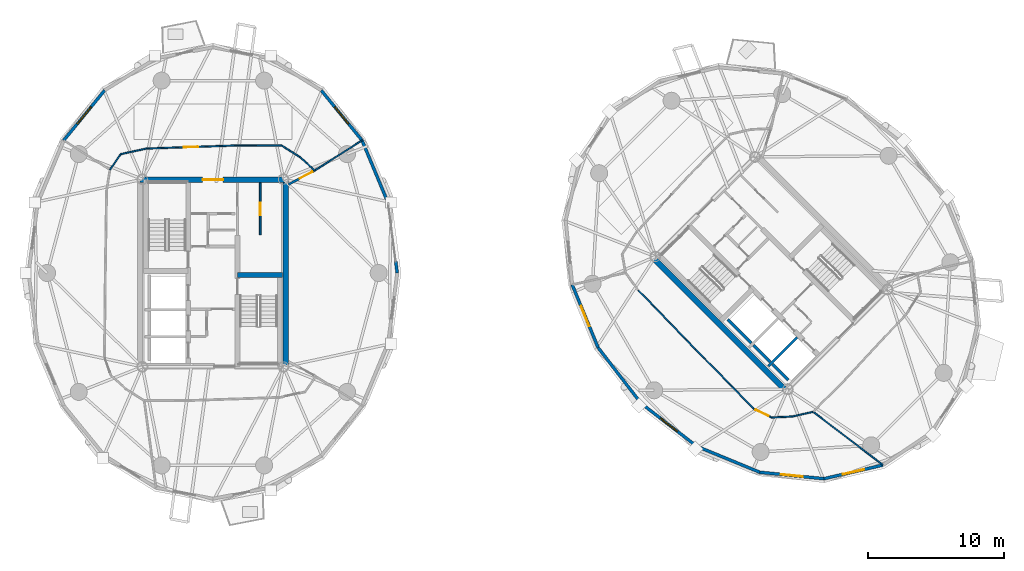
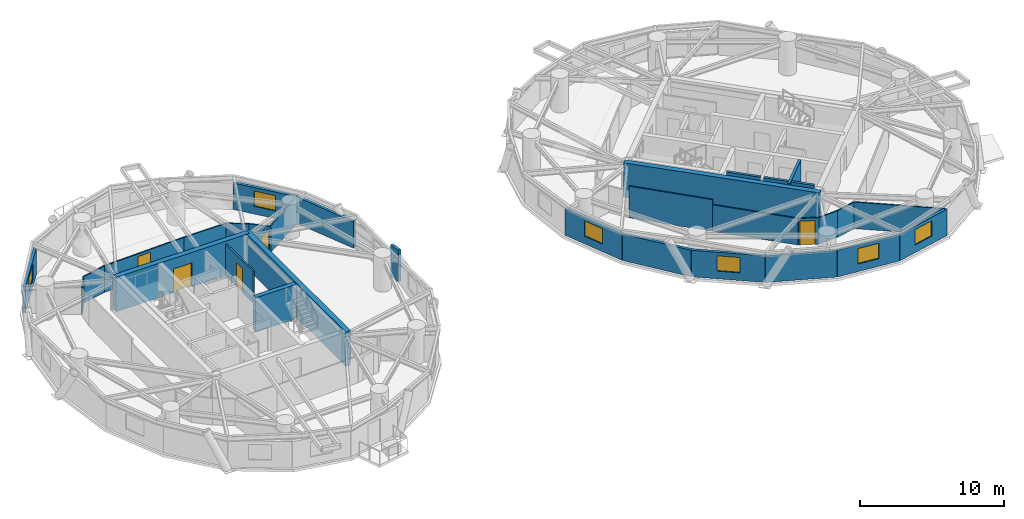
# One storey, part 11 of 17: 33 walls, 6 windows, 5 doors, 11 openings.
"""IFC4 building model written with IfcOpenShell, lengths in metres."""

from ifc_helpers import new_model, si_unit, direction, frame, frame_2d, origin, place, context, subcontext, project, spatial, rectangle, extrude, source, transform, mapped, material, layer, layer_set, type_object, element, fill, save


model = new_model("IFC4")

# Units and contexts
model_context = context("Model", 3, precision=1e-05, world=origin(), true_north=direction((0.0, 1.0)))
body_context = subcontext(model_context, "Body", "Model", "MODEL_VIEW")
ifc_project = project(units=[si_unit("LENGTHUNIT", "METRE"), si_unit("AREAUNIT", "SQUARE_METRE"), si_unit("VOLUMEUNIT", "CUBIC_METRE"), si_unit("PLANEANGLEUNIT", "RADIAN"), si_unit("MASSUNIT", "GRAM", prefix="KILO")], contexts=[model_context])

# Site, building, storey
site_placement = place(None, origin())
site = spatial("IfcSite", under=ifc_project, at=site_placement, CompositionType="ELEMENT")
building_placement = place(site_placement, origin())
building = spatial("IfcBuilding", under=site, at=building_placement, Name="Cununo Teusaquillo Station Towers", CompositionType="ELEMENT")
storey_placement = place(building_placement, frame((0.0, 0.0, 186.52001953125)))
storey = spatial("IfcBuildingStorey", under=building, at=storey_placement, Name="L59", CompositionType="ELEMENT", Elevation=186.52001953125)

# Walls
ifc_material_1 = material(Name="Concrete C50/60", Category="concrete")
ifc_layer_1 = layer(ifc_material_1, 0.199951171875)
ifc_layer_set_1 = layer_set([ifc_layer_1], Name="Concrete C50/60")
wall_type_1 = type_object("IfcWallType", Name="WL-CORE-200", PredefinedType="SHEAR", material=ifc_layer_set_1)
wall_1_placement = place(storey_placement, frame((56.01513671875, 19.366455078125, 0.0), z_axis=(0.0, 0.0, 1.0), x_axis=(-0.707106781187, 0.707106781187, 0.0)))
element("IfcWall", 1, at=wall_1_placement, inside=storey, type_object=wall_type_1, Name="L59 Tower B Firefighting Lift Shaft Rear Shear Wall", PredefinedType="SHEAR", context=body_context, shape_type="SweptSolid", body=[
    extrude(rectangle(XDim=2.43994140625, YDim=0.199951171875, at=frame_2d((1.219970703125, 0.0))), origin(), (0.0, 0.0, 1.0), 2.909912109375),
])
wall_2_placement = place(storey_placement, frame((57.2841796875, 17.6728515625, 0.0), z_axis=(0.0, 0.0, 1.0), x_axis=(0.707147878904, 0.70706568108, 0.0)))
element("IfcWall", 2, at=wall_2_placement, inside=storey, type_object=wall_type_1, Name="L59 Tower B High-Rise Lift Hoistway Divider Shear Wall", PredefinedType="SHEAR", context=body_context, shape_type="SweptSolid", body=[
    extrude(rectangle(XDim=2.97021484375, YDim=0.199951171875, at=frame_2d((1.485107421875, 0.0))), origin(), (0.0, 0.0, 1.0), 2.909912109375),
])
wall_3_placement = place(storey_placement, frame((57.41162109375, 17.969970703125, 0.0), z_axis=(0.0, 0.0, 1.0), x_axis=(-0.707106781187, 0.707106781187, 0.0)))
element("IfcWall", 3, at=wall_3_placement, inside=storey, type_object=wall_type_1, Name="L59 Tower B High-Rise Lift 2 Shaft Rear Shear Wall", PredefinedType="SHEAR", context=body_context, shape_type="SweptSolid", body=[
    extrude(rectangle(XDim=1.73486328125, YDim=0.199951171875, at=frame_2d((0.867431640625, 0.0))), origin(), (0.0, 0.0, 1.0), 2.909912109375),
])
wall_4_placement = place(storey_placement, frame((58.7373046875, 16.64404296875, 0.0), z_axis=(0.0, 0.0, 1.0), x_axis=(-0.707032117043, 0.707181437447, 0.0)))
element("IfcWall", 4, at=wall_4_placement, inside=storey, type_object=wall_type_1, Name="L59 Tower B High-Rise Lift 1 Shaft Rear Shear Wall", PredefinedType="SHEAR", context=body_context, shape_type="SweptSolid", body=[
    extrude(rectangle(XDim=1.635009765625, YDim=0.199951171875, at=frame_2d((0.8173828125, 0.0))), origin(), (0.0, 0.0, 1.0), 2.909912109375),
])
ifc_material_2 = material(Name="Concrete C50/60", Category="concrete")
ifc_layer_2 = layer(ifc_material_2, 0.35009765625)
ifc_layer_set_2 = layer_set([ifc_layer_2], Name="Concrete C50/60")
wall_type_2 = type_object("IfcWallType", Name="WL-CORE-350", PredefinedType="SHEAR", material=ifc_layer_set_2)
wall_5_placement = place(storey_placement, frame((18.31494140625, 24.344970703125, 0.0), z_axis=(0.0, 0.0, 1.0), x_axis=(1.0, 0.0, 0.0)))
element("IfcWall", 5, at=wall_5_placement, inside=storey, type_object=wall_type_2, Name="L59 Tower A Core Shear Wall ST2N", PredefinedType="SHEAR", context=body_context, shape_type="SweptSolid", body=[
    extrude(rectangle(XDim=3.28515625, YDim=0.35009765625, at=frame_2d((1.642578125, 0.0))), origin(), (0.0, 0.0, 1.0), 2.909912109375),
])
ifc_material_3 = material(Name="Concrete C50/60", Category="concrete")
ifc_layer_3 = layer(ifc_material_3, 0.39990234375)
ifc_layer_set_3 = layer_set([ifc_layer_3], Name="Concrete C50/60")
wall_type_3 = type_object("IfcWallType", Name="WL-CORE-400", PredefinedType="SHEAR", material=ifc_layer_set_3)
wall_6_placement = place(storey_placement, frame((21.85009765625, 17.449951171875, 0.0), z_axis=(0.0, 0.0, 1.0), x_axis=(0.0, 1.0, 0.0)))
element("IfcWall", 6, at=wall_6_placement, inside=storey, type_object=wall_type_3, Name="L59 Tower A Core Shear Wall E", PredefinedType="SHEAR", context=body_context, shape_type="SweptSolid", body=[
    extrude(rectangle(XDim=14.10009765625, YDim=0.39990234375, at=frame_2d((7.050048828125, 0.0))), origin(), (0.0, 0.0, 1.0), 2.909912109375),
])

# Wall, opening, door
wall_7_placement = place(storey_placement, frame((11.14990234375, 31.35009765625, 0.0), z_axis=(0.0, 0.0, 1.0), x_axis=(1.0, 0.0, 0.0)))
wall_7 = element("IfcWall", 7, at=wall_7_placement, inside=storey, type_object=wall_type_3, Name="L59 Tower A Core Shear Wall N", PredefinedType="SHEAR", context=body_context, shape_type="SweptSolid", body=[
    extrude(rectangle(XDim=10.7001953125, YDim=0.39990234375, at=frame_2d((5.35009765625, 0.0))), origin(), (0.0, 0.0, 1.0), 2.909912109375),
])
shared_shape_1 = source(origin(), body_context, "Body", "SweptSolid", [
    extrude(rectangle(XDim=1.5, YDim=2.02001953125, at=frame_2d((0.75, 1.010009765625))), frame((0.0, 0.2099609375, 0.0), z_axis=(0.0, -1.0, 0.0), x_axis=(1.0, 0.0, 0.0)), (0.0, 0.0, 1.0), 0.419921875),
])
opening_1_placement = place(wall_7_placement, frame((4.60009765625, 0.0, 0.0)))
opening_1 = element("IfcOpeningElement", 8, at=opening_1_placement, cuts=wall_7, Name="Opening D-LB1", PredefinedType="OPENING", context=body_context, shape_type="MappedRepresentation", body=[
    mapped(shared_shape_1, transform((0.0, 0.0, 0.0), x_axis=(1.0, 0.0, 0.0), y_axis=(0.0, 1.0, 0.0), z_axis=(0.0, 0.0, 1.0), scale=1.0)),
])
ifc_material_4 = material(Name="Galvanised fire-rated hollow steel door assembly", Category="steel")
door_type_1 = type_object("IfcDoorType", Name="DR-LOBBY-1500", OperationType="DOUBLE_DOOR_SINGLE_SWING", PredefinedType="DOOR", material=ifc_material_4)
shared_shape_2 = source(origin(), body_context, "Body", "SweptSolid", [
    extrude(rectangle(XDim=1.5, YDim=2.02001953125, at=frame_2d((0.75, 1.010009765625))), frame((0.0, 0.02490234375, 0.0), z_axis=(0.0, -1.0, 0.0), x_axis=(1.0, 0.0, 0.0)), (0.0, 0.0, 1.0), 0.050048828125),
])
door_1_placement = place(opening_1_placement, origin())
door_1 = element("IfcDoor", 9, at=door_1_placement, inside=storey, type_object=door_type_1, Name="L59 Tower A North Core Lift Lobby Door", OperationType="DOUBLE_DOOR_SINGLE_SWING", OverallHeight=2.02001953125, OverallWidth=1.5, PredefinedType="DOOR", context=body_context, shape_type="MappedRepresentation", body=[
    mapped(shared_shape_2, transform((0.0, 0.0, 0.0), x_axis=(1.0, 0.0, 0.0), y_axis=(0.0, 1.0, 0.0), z_axis=(0.0, 0.0, 1.0), scale=1.0)),
])
fill(opening_1, door_1)

# Walls
wall_8_placement = place(storey_placement, frame((58.7021484375, 15.73193359375, 0.0), z_axis=(0.0, 0.0, 1.0), x_axis=(-0.707106781187, 0.707106781187, 0.0)))
element("IfcWall", 10, at=wall_8_placement, inside=storey, type_object=wall_type_3, Name="L59 Tower B Core Shear Wall W", PredefinedType="SHEAR", context=body_context, shape_type="SweptSolid", body=[
    extrude(rectangle(XDim=14.10009765625, YDim=0.39990234375, at=frame_2d((7.050048828125, 0.0))), origin(), (0.0, 0.0, 1.0), 2.909912109375),
])
ifc_material_5 = material(Name="Precast concrete C40/50", Category="concrete")
ifc_layer_4 = layer(ifc_material_5, 0.219970703125)
ifc_layer_set_4 = layer_set([ifc_layer_4], Name="Precast concrete C40/50")
wall_type_4 = type_object("IfcWallType", Name="WL-EXT-220", PredefinedType="SOLIDWALL", material=ifc_layer_set_4)
wall_9_placement = place(storey_placement, frame((29.91943359375, 25.36279296875, 0.0), z_axis=(0.0, 0.0, 1.0), x_axis=(0.128247365719, -0.991742211054, 0.0)))
element("IfcWall", 11, at=wall_9_placement, inside=storey, type_object=wall_type_4, Name="L59 Tower A Column Pier Cladding Wall C00-PB", PredefinedType="SOLIDWALL", context=body_context, shape_type="SweptSolid", body=[
    extrude(rectangle(XDim=0.869873046875, YDim=0.219970703125, at=frame_2d((0.43505859375, 0.0))), origin(), (0.0, 0.0, 1.0), 2.675048828125),
])
wall_10_placement = place(storey_placement, frame((27.44677734375, 34.239501953125, 0.0), z_axis=(0.0, 0.0, 1.0), x_axis=(0.384144094086, -0.923273152961, 0.0)))
element("IfcWall", 12, at=wall_10_placement, inside=storey, type_object=wall_type_4, Name="L59 Tower A Exterior Facade Wall C01", PredefinedType="SOLIDWALL", context=body_context, shape_type="SweptSolid", body=[
    extrude(rectangle(XDim=5.0029296875, YDim=0.219970703125, at=frame_2d((2.50146484375, 0.0))), origin(), (0.0, 0.0, 1.0), 2.244873046875),
])

# Wall, opening, window
wall_11_placement = place(storey_placement, frame((24.453369140625, 37.905517578125, 0.0), z_axis=(0.0, 0.0, 1.0), x_axis=(0.632470615287, -0.774584353572, 0.0)))
wall_11 = element("IfcWall", 13, at=wall_11_placement, inside=storey, type_object=wall_type_4, Name="L59 Tower A Exterior Facade Wall C02", PredefinedType="SOLIDWALL", context=body_context, shape_type="SweptSolid", body=[
    extrude(rectangle(XDim=4.73291015625, YDim=0.219970703125, at=frame_2d((2.366455078125, 0.0))), origin(), (0.0, 0.0, 1.0), 2.244873046875),
])
shared_shape_3 = source(origin(), body_context, "Body", "SweptSolid", [
    extrude(rectangle(XDim=1.60009765625, YDim=1.300048828125, at=frame_2d((0.800048828125, 0.64990234375))), frame((0.0, 0.119873046875, 0.0), z_axis=(0.0, -1.0, 0.0), x_axis=(1.0, 0.0, 0.0)), (0.0, 0.0, 1.0), 0.239990234375),
])
opening_2_placement = place(wall_11_placement, frame((1.56591796875, 0.0, 0.64990234375)))
opening_2 = element("IfcOpeningElement", 14, at=opening_2_placement, cuts=wall_11, Name="Opening WN-03", PredefinedType="OPENING", context=body_context, shape_type="MappedRepresentation", body=[
    mapped(shared_shape_3, transform((0.0, 0.0, 0.0), x_axis=(1.0, 0.0, 0.0), y_axis=(0.0, 1.0, 0.0), z_axis=(0.0, 0.0, 1.0), scale=1.0)),
])
ifc_material_6 = material(Name="Ceramic-fritted dark low-E double glazing", Category="glass")
window_type = type_object("IfcWindowType", Name="WIN-CORN-1600", PartitioningType="SINGLE_PANEL", PredefinedType="WINDOW", material=ifc_material_6)
shared_shape_4 = source(origin(), body_context, "Body", "SweptSolid", [
    extrude(rectangle(XDim=1.60009765625, YDim=1.300048828125, at=frame_2d((0.800048828125, 0.64990234375))), frame((0.0, 0.030029296875, 0.0), z_axis=(0.0, -1.0, 0.0), x_axis=(1.0, 0.0, 0.0)), (0.0, 0.0, 1.0), 0.06005859375),
])
window_1_placement = place(opening_2_placement, origin())
window_1 = element("IfcWindow", 15, at=window_1_placement, inside=storey, type_object=window_type, Name="L59 Tower A Facade Window C02", OverallHeight=1.300048828125, OverallWidth=1.60009765625, PartitioningType="SINGLE_PANEL", PredefinedType="WINDOW", context=body_context, shape_type="MappedRepresentation", body=[
    mapped(shared_shape_4, transform((0.0, 0.0, 0.0), x_axis=(1.0, 0.0, 0.0), y_axis=(0.0, 1.0, 0.0), z_axis=(0.0, 0.0, 1.0), scale=1.0)),
])
fill(opening_2, window_1)

wall_12_placement = place(storey_placement, frame((5.55322265625, 34.239501953125, 0.0), z_axis=(0.0, 0.0, 1.0), x_axis=(0.632470615287, 0.774584353572, 0.0)))
wall_12 = element("IfcWall", 16, at=wall_12_placement, inside=storey, type_object=wall_type_4, Name="L59 Tower A Exterior Facade Wall C07", PredefinedType="SOLIDWALL", context=body_context, shape_type="SweptSolid", body=[
    extrude(rectangle(XDim=4.73291015625, YDim=0.219970703125, at=frame_2d((2.366455078125, 0.0))), origin(), (0.0, 0.0, 1.0), 2.244873046875),
])
opening_3_placement = place(wall_12_placement, frame((1.56591796875, 0.0, 0.64990234375)))
opening_3 = element("IfcOpeningElement", 17, at=opening_3_placement, cuts=wall_12, Name="Opening WN-03", PredefinedType="OPENING", context=body_context, shape_type="MappedRepresentation", body=[
    mapped(shared_shape_3, transform((0.0, 0.0, 0.0), x_axis=(1.0, 0.0, 0.0), y_axis=(0.0, 1.0, 0.0), z_axis=(0.0, 0.0, 1.0), scale=1.0)),
])
window_2_placement = place(opening_3_placement, origin())
window_2 = element("IfcWindow", 18, at=window_2_placement, inside=storey, type_object=window_type, Name="L59 Tower A Facade Window C07", OverallHeight=1.300048828125, OverallWidth=1.60009765625, PartitioningType="SINGLE_PANEL", PredefinedType="WINDOW", context=body_context, shape_type="MappedRepresentation", body=[
    mapped(shared_shape_4, transform((0.0, 0.0, 0.0), x_axis=(1.0, 0.0, 0.0), y_axis=(0.0, 1.0, 0.0), z_axis=(0.0, 0.0, 1.0), scale=1.0)),
])
fill(opening_3, window_2)

wall_13_placement = place(storey_placement, frame((44.77978515625, 19.02099609375, 0.0), z_axis=(0.0, 0.0, 1.0), x_axis=(-0.381196434348, 0.924494066201, 0.0)))
wall_13 = element("IfcWall", 19, at=wall_13_placement, inside=storey, type_object=wall_type_4, Name="L59 Tower B Exterior Facade Wall C08", PredefinedType="SOLIDWALL", context=body_context, shape_type="SweptSolid", body=[
    extrude(rectangle(XDim=5.003173828125, YDim=0.219970703125, at=frame_2d((2.50146484375, 0.0))), origin(), (0.0, 0.0, 1.0), 2.244873046875),
])
opening_4_placement = place(wall_13_placement, frame((1.701904296875, 0.0, 0.64990234375)))
opening_4 = element("IfcOpeningElement", 20, at=opening_4_placement, cuts=wall_13, Name="Opening WN-03", PredefinedType="OPENING", context=body_context, shape_type="MappedRepresentation", body=[
    mapped(shared_shape_3, transform((0.0, 0.0, 0.0), x_axis=(1.0, 0.0, 0.0), y_axis=(0.0, 1.0, 0.0), z_axis=(0.0, 0.0, 1.0), scale=1.0)),
])
window_3_placement = place(opening_4_placement, origin())
window_3 = element("IfcWindow", 21, at=window_3_placement, inside=storey, type_object=window_type, Name="L59 Tower B Facade Window C08", OverallHeight=1.300048828125, OverallWidth=1.60009765625, PartitioningType="SINGLE_PANEL", PredefinedType="WINDOW", context=body_context, shape_type="MappedRepresentation", body=[
    mapped(shared_shape_4, transform((0.0, 0.0, 0.0), x_axis=(1.0, 0.0, 0.0), y_axis=(0.0, 1.0, 0.0), z_axis=(0.0, 0.0, 1.0), scale=1.0)),
])
fill(opening_4, window_3)

# Wall
wall_14_placement = place(storey_placement, frame((47.93212890625, 14.93212890625, 0.0), z_axis=(0.0, 0.0, 1.0), x_axis=(-0.610569654715, 0.791962560189, 0.0)))
element("IfcWall", 22, at=wall_14_placement, inside=storey, type_object=wall_type_4, Name="L59 Tower B Exterior Facade Wall C09", PredefinedType="SOLIDWALL", context=body_context, shape_type="SweptSolid", body=[
    extrude(rectangle(XDim=5.162841796875, YDim=0.219970703125, at=frame_2d((2.58154296875, 0.0))), origin(), (0.0, 0.0, 1.0), 2.244873046875),
])

# Wall, opening, window
wall_15_placement = place(storey_placement, frame((52.02099609375, 11.77978515625, 0.0), z_axis=(0.0, 0.0, 1.0), x_axis=(-0.791962560189, 0.610569654715, 0.0)))
wall_15 = element("IfcWall", 23, at=wall_15_placement, inside=storey, type_object=wall_type_4, Name="L59 Tower B Exterior Facade Wall C10", PredefinedType="SOLIDWALL", context=body_context, shape_type="SweptSolid", body=[
    extrude(rectangle(XDim=5.162841796875, YDim=0.219970703125, at=frame_2d((2.58154296875, 0.0))), origin(), (0.0, 0.0, 1.0), 2.244873046875),
])
opening_5_placement = place(wall_15_placement, frame((1.781982421875, 0.0, 0.64990234375)))
opening_5 = element("IfcOpeningElement", 24, at=opening_5_placement, cuts=wall_15, Name="Opening WN-03", PredefinedType="OPENING", context=body_context, shape_type="MappedRepresentation", body=[
    mapped(shared_shape_3, transform((0.0, 0.0, 0.0), x_axis=(1.0, 0.0, 0.0), y_axis=(0.0, 1.0, 0.0), z_axis=(0.0, 0.0, 1.0), scale=1.0)),
])
window_4_placement = place(opening_5_placement, origin())
window_4 = element("IfcWindow", 25, at=window_4_placement, inside=storey, type_object=window_type, Name="L59 Tower B Facade Window C10", OverallHeight=1.300048828125, OverallWidth=1.60009765625, PartitioningType="SINGLE_PANEL", PredefinedType="WINDOW", context=body_context, shape_type="MappedRepresentation", body=[
    mapped(shared_shape_4, transform((0.0, 0.0, 0.0), x_axis=(1.0, 0.0, 0.0), y_axis=(0.0, 1.0, 0.0), z_axis=(0.0, 0.0, 1.0), scale=1.0)),
])
fill(opening_5, window_4)

# Wall
wall_16_placement = place(storey_placement, frame((56.646484375, 9.87255859375, 0.0), z_axis=(0.0, 0.0, 1.0), x_axis=(-0.924494066201, 0.381196434348, 0.0)))
element("IfcWall", 26, at=wall_16_placement, inside=storey, type_object=wall_type_4, Name="L59 Tower B Exterior Facade Wall C11", PredefinedType="SOLIDWALL", context=body_context, shape_type="SweptSolid", body=[
    extrude(rectangle(XDim=5.003173828125, YDim=0.219970703125, at=frame_2d((2.50146484375, 0.0))), origin(), (0.0, 0.0, 1.0), 2.244873046875),
])

# Wall, opening, window
wall_17_placement = place(storey_placement, frame((61.355224609375, 9.397216796875, 0.0), z_axis=(0.0, 0.0, 1.0), x_axis=(-0.994943283129, 0.100438356004, 0.0)))
wall_17 = element("IfcWall", 27, at=wall_17_placement, inside=storey, type_object=wall_type_4, Name="L59 Tower B Exterior Facade Wall C12", PredefinedType="SOLIDWALL", context=body_context, shape_type="SweptSolid", body=[
    extrude(rectangle(XDim=4.732666015625, YDim=0.219970703125, at=frame_2d((2.3662109375, 0.0))), origin(), (0.0, 0.0, 1.0), 2.244873046875),
])
opening_6_placement = place(wall_17_placement, frame((1.56591796875, 0.0, 0.64990234375)))
opening_6 = element("IfcOpeningElement", 28, at=opening_6_placement, cuts=wall_17, Name="Opening WN-03", PredefinedType="OPENING", context=body_context, shape_type="MappedRepresentation", body=[
    mapped(shared_shape_3, transform((0.0, 0.0, 0.0), x_axis=(1.0, 0.0, 0.0), y_axis=(0.0, 1.0, 0.0), z_axis=(0.0, 0.0, 1.0), scale=1.0)),
])
window_5_placement = place(opening_6_placement, origin())
window_5 = element("IfcWindow", 29, at=window_5_placement, inside=storey, type_object=window_type, Name="L59 Tower B Facade Window C12", OverallHeight=1.300048828125, OverallWidth=1.60009765625, PartitioningType="SINGLE_PANEL", PredefinedType="WINDOW", context=body_context, shape_type="MappedRepresentation", body=[
    mapped(shared_shape_4, transform((0.0, 0.0, 0.0), x_axis=(1.0, 0.0, 0.0), y_axis=(0.0, 1.0, 0.0), z_axis=(0.0, 0.0, 1.0), scale=1.0)),
])
fill(opening_6, window_5)

wall_18_placement = place(storey_placement, frame((65.686767578125, 10.400146484375, 0.0), z_axis=(0.0, 0.0, 1.0), x_axis=(-0.97422620202, -0.22557328587, 0.0)))
wall_18 = element("IfcWall", 30, at=wall_18_placement, inside=storey, type_object=wall_type_4, Name="L59 Tower B Exterior Facade Wall C13", PredefinedType="SOLIDWALL", context=body_context, shape_type="SweptSolid", body=[
    extrude(rectangle(XDim=4.446044921875, YDim=0.219970703125, at=frame_2d((2.22314453125, 0.0))), origin(), (0.0, 0.0, 1.0), 2.244873046875),
])
opening_7_placement = place(wall_18_placement, frame((1.423095703125, 0.0, 0.64990234375)))
opening_7 = element("IfcOpeningElement", 31, at=opening_7_placement, cuts=wall_18, Name="Opening WN-03", PredefinedType="OPENING", context=body_context, shape_type="MappedRepresentation", body=[
    mapped(shared_shape_3, transform((0.0, 0.0, 0.0), x_axis=(1.0, 0.0, 0.0), y_axis=(0.0, 1.0, 0.0), z_axis=(0.0, 0.0, 1.0), scale=1.0)),
])
window_6_placement = place(opening_7_placement, origin())
window_6 = element("IfcWindow", 32, at=window_6_placement, inside=storey, type_object=window_type, Name="L59 Tower B Facade Window C13", OverallHeight=1.300048828125, OverallWidth=1.60009765625, PartitioningType="SINGLE_PANEL", PredefinedType="WINDOW", context=body_context, shape_type="MappedRepresentation", body=[
    mapped(shared_shape_4, transform((0.0, 0.0, 0.0), x_axis=(1.0, 0.0, 0.0), y_axis=(0.0, 1.0, 0.0), z_axis=(0.0, 0.0, 1.0), scale=1.0)),
])
fill(opening_7, window_6)

# Walls
ifc_material_7 = material(Name="Fire-rated gypsum plasterboard partition assembly", Category="gypsum")
ifc_layer_5 = layer(ifc_material_7, 0.10009765625)
ifc_layer_set_5 = layer_set([ifc_layer_5], Name="Fire-rated gypsum plasterboard partition assembly")
wall_type_5 = type_object("IfcWallType", Name="WL-PART-100", PredefinedType="MOVABLE", material=ifc_layer_set_5)
wall_19_placement = place(storey_placement, frame((23.979736328125, 32.02685546875, 0.0), z_axis=(0.0, 0.0, 1.0), x_axis=(-0.742353224332, 0.670008724065, 0.0)))
element("IfcWall", 33, at=wall_19_placement, inside=storey, type_object=wall_type_5, Name="L59 Tower A Corridor Ring Wall C02", PredefinedType="MOVABLE", context=body_context, shape_type="SweptSolid", body=[
    extrude(rectangle(XDim=1.48486328125, YDim=0.10009765625, at=frame_2d((0.742431640625, 0.0))), origin(), (0.0, 0.0, 1.0), 2.244873046875),
])
wall_20_placement = place(storey_placement, frame((22.87744140625, 33.021728515625, 0.0), z_axis=(0.0, 0.0, 1.0), x_axis=(-0.845895608855, 0.533348496689, 0.0)))
element("IfcWall", 34, at=wall_20_placement, inside=storey, type_object=wall_type_5, Name="L59 Tower A Corridor Ring Wall C03", PredefinedType="MOVABLE", context=body_context, shape_type="SweptSolid", body=[
    extrude(rectangle(XDim=1.5966796875, YDim=0.10009765625, at=frame_2d((0.79833984375, 0.0))), origin(), (0.0, 0.0, 1.0), 2.244873046875),
])
wall_21_placement = place(storey_placement, frame((21.52685546875, 33.873291015625, 0.0), z_axis=(0.0, 0.0, 1.0), x_axis=(-0.999991838845, -0.004040079574, 0.0)))
element("IfcWall", 35, at=wall_21_placement, inside=storey, type_object=wall_type_5, Name="L59 Tower A Corridor Ring Wall C04", PredefinedType="MOVABLE", context=body_context, shape_type="SweptSolid", body=[
    extrude(rectangle(XDim=3.384033203125, YDim=0.10009765625, at=frame_2d((1.69189453125, 0.0))), origin(), (0.0, 0.0, 1.0), 2.244873046875),
])

# Wall, opening, door
wall_22_placement = place(storey_placement, frame((18.142822265625, 33.859619140625, 0.0), z_axis=(0.0, 0.0, 1.0), x_axis=(-0.999419208319, -0.034077060363, 0.0)))
wall_22 = element("IfcWall", 36, at=wall_22_placement, inside=storey, type_object=wall_type_5, Name="L59 Tower A Corridor Ring Wall C05", PredefinedType="MOVABLE", context=body_context, shape_type="SweptSolid", body=[
    extrude(rectangle(XDim=6.52685546875, YDim=0.10009765625, at=frame_2d((3.263427734375, 0.0))), origin(), (0.0, 0.0, 1.0), 2.244873046875),
])
shared_shape_5 = source(origin(), body_context, "Body", "SweptSolid", [
    extrude(rectangle(XDim=1.050048828125, YDim=2.014892578125, at=frame_2d((0.52490234375, 1.00732421875))), frame((0.0, 0.06005859375, 0.0), z_axis=(0.0, -1.0, 0.0), x_axis=(1.0, 0.0, 0.0)), (0.0, 0.0, 1.0), 0.1201171875),
])
opening_8_placement = place(wall_22_placement, frame((2.73828125, 0.0, 0.0)))
opening_8 = element("IfcOpeningElement", 37, at=opening_8_placement, cuts=wall_22, Name="Opening D-SU1", PredefinedType="OPENING", context=body_context, shape_type="MappedRepresentation", body=[
    mapped(shared_shape_5, transform((0.0, 0.0, 0.0), x_axis=(1.0, 0.0, 0.0), y_axis=(0.0, 1.0, 0.0), z_axis=(0.0, 0.0, 1.0), scale=1.0)),
])
ifc_material_8 = material(Name="Acoustic solid-core hardwood leaf assembly", Category="wood")
door_type_2 = type_object("IfcDoorType", Name="DR-SUITE-1050", OperationType="NOTDEFINED", PredefinedType="DOOR", material=ifc_material_8)
shared_shape_6 = source(origin(), body_context, "Body", "SweptSolid", [
    extrude(rectangle(XDim=1.050048828125, YDim=2.014892578125, at=frame_2d((0.52490234375, 1.00732421875))), frame((0.0, 0.02490234375, 0.0), z_axis=(0.0, -1.0, 0.0), x_axis=(1.0, 0.0, 0.0)), (0.0, 0.0, 1.0), 0.050048828125),
])
door_2_placement = place(opening_8_placement, origin())
door_2 = element("IfcDoor", 38, at=door_2_placement, inside=storey, type_object=door_type_2, Name="L59 Tower A Summit Banquet & Symposium Hall Entrance Door", OperationType="SINGLE_SWING_LEFT", OverallHeight=2.014892578125, OverallWidth=1.050048828125, PredefinedType="DOOR", context=body_context, shape_type="MappedRepresentation", body=[
    mapped(shared_shape_6, transform((0.0, 0.0, 0.0), x_axis=(1.0, 0.0, 0.0), y_axis=(0.0, 1.0, 0.0), z_axis=(0.0, 0.0, 1.0), scale=1.0)),
])
fill(opening_8, door_2)

# Walls
wall_23_placement = place(storey_placement, frame((11.619873046875, 33.63720703125, 0.0), z_axis=(0.0, 0.0, 1.0), x_axis=(-0.97702579435, -0.213121085711, 0.0)))
element("IfcWall", 39, at=wall_23_placement, inside=storey, type_object=wall_type_5, Name="L59 Tower A Corridor Ring Wall C06", PredefinedType="MOVABLE", context=body_context, shape_type="SweptSolid", body=[
    extrude(rectangle(XDim=1.934814453125, YDim=0.10009765625, at=frame_2d((0.96728515625, 0.0))), origin(), (0.0, 0.0, 1.0), 2.244873046875),
])
wall_24_placement = place(storey_placement, frame((9.7294921875, 33.224853515625, 0.0), z_axis=(0.0, 0.0, 1.0), x_axis=(-0.567183649484, -0.82359134755, 0.0)))
element("IfcWall", 40, at=wall_24_placement, inside=storey, type_object=wall_type_5, Name="L59 Tower A Corridor Ring Wall C07", PredefinedType="MOVABLE", context=body_context, shape_type="SweptSolid", body=[
    extrude(rectangle(XDim=1.39208984375, YDim=0.10009765625, at=frame_2d((0.696044921875, 0.0))), origin(), (0.0, 0.0, 1.0), 2.244873046875),
])
wall_25_placement = place(storey_placement, frame((23.979736328125, 32.02685546875, 0.0), z_axis=(0.0, 0.0, 1.0), x_axis=(0.843120722145, 0.53772432332, 0.0)))
element("IfcWall", 41, at=wall_25_placement, inside=storey, type_object=wall_type_5, Name="L59 Tower A Radial Suite Partition R01", PredefinedType="MOVABLE", context=body_context, shape_type="SweptSolid", body=[
    extrude(rectangle(XDim=4.093017578125, YDim=0.10009765625, at=frame_2d((2.04638671875, 0.0))), origin(), (0.0, 0.0, 1.0), 2.244873046875),
])
wall_26_placement = place(storey_placement, frame((47.70556640625, 23.253173828125, 0.0), z_axis=(0.0, 0.0, 1.0), x_axis=(0.696179266346, -0.717867974707, 0.0)))
element("IfcWall", 42, at=wall_26_placement, inside=storey, type_object=wall_type_5, Name="L59 Tower B Corridor Ring Wall C09", PredefinedType="MOVABLE", context=body_context, shape_type="SweptSolid", body=[
    extrude(rectangle(XDim=6.044677734375, YDim=0.10009765625, at=frame_2d((3.0224609375, 0.0))), origin(), (0.0, 0.0, 1.0), 2.675048828125),
])
wall_27_placement = place(storey_placement, frame((51.913818359375, 18.913818359375, 0.0), z_axis=(0.0, 0.0, 1.0), x_axis=(0.699999313799, -0.714143515465, 0.0)))
element("IfcWall", 43, at=wall_27_placement, inside=storey, type_object=wall_type_5, Name="L59 Tower B Corridor Ring Wall C10", PredefinedType="MOVABLE", context=body_context, shape_type="SweptSolid", body=[
    extrude(rectangle(XDim=6.162109375, YDim=0.10009765625, at=frame_2d((3.0810546875, 0.0))), origin(), (0.0, 0.0, 1.0), 2.244873046875),
])

# Wall, opening, door
wall_28_placement = place(storey_placement, frame((56.227294921875, 14.51318359375, 0.0), z_axis=(0.0, 0.0, 1.0), x_axis=(0.901477579283, -0.432825801044, 0.0)))
wall_28 = element("IfcWall", 44, at=wall_28_placement, inside=storey, type_object=wall_type_5, Name="L59 Tower B Corridor Ring Wall C11", PredefinedType="MOVABLE", context=body_context, shape_type="SweptSolid", body=[
    extrude(rectangle(XDim=1.42431640625, YDim=0.10009765625, at=frame_2d((0.712158203125, 0.0))), origin(), (0.0, 0.0, 1.0), 2.244873046875),
])
opening_9_placement = place(wall_28_placement, frame((0.1201171875, 0.0, 0.0)))
opening_9 = element("IfcOpeningElement", 45, at=opening_9_placement, cuts=wall_28, Name="Opening D-SU1", PredefinedType="OPENING", context=body_context, shape_type="MappedRepresentation", body=[
    mapped(shared_shape_5, transform((0.0, 0.0, 0.0), x_axis=(1.0, 0.0, 0.0), y_axis=(0.0, 1.0, 0.0), z_axis=(0.0, 0.0, 1.0), scale=1.0)),
])
door_3_placement = place(opening_9_placement, origin())
door_3 = element("IfcDoor", 46, at=door_3_placement, inside=storey, type_object=door_type_2, Name="L59 Tower B Imperial Canopy Exhibition Lounge Entrance Door", OperationType="SINGLE_SWING_RIGHT", OverallHeight=2.014892578125, OverallWidth=1.050048828125, PredefinedType="DOOR", context=body_context, shape_type="MappedRepresentation", body=[
    mapped(shared_shape_6, transform((0.0, 0.0, 0.0), x_axis=(1.0, 0.0, 0.0), y_axis=(0.0, 1.0, 0.0), z_axis=(0.0, 0.0, 1.0), scale=1.0)),
])
fill(opening_9, door_3)

# Walls
wall_29_placement = place(storey_placement, frame((57.51123046875, 13.896728515625, 0.0), z_axis=(0.0, 0.0, 1.0), x_axis=(0.999024538494, 0.044158481476, 0.0)))
element("IfcWall", 47, at=wall_29_placement, inside=storey, type_object=wall_type_5, Name="L59 Tower B Corridor Ring Wall C12", PredefinedType="MOVABLE", context=body_context, shape_type="SweptSolid", body=[
    extrude(rectangle(XDim=1.498291015625, YDim=0.10009765625, at=frame_2d((0.7490234375, 0.0))), origin(), (0.0, 0.0, 1.0), 2.244873046875),
])
wall_30_placement = place(storey_placement, frame((59.008056640625, 13.962890625, 0.0), z_axis=(0.0, 0.0, 1.0), x_axis=(0.976020856791, 0.21767702476, 0.0)))
element("IfcWall", 48, at=wall_30_placement, inside=storey, type_object=wall_type_5, Name="L59 Tower B Corridor Ring Wall C13", PredefinedType="MOVABLE", context=body_context, shape_type="SweptSolid", body=[
    extrude(rectangle(XDim=1.592529296875, YDim=0.10009765625, at=frame_2d((0.79638671875, 0.0))), origin(), (0.0, 0.0, 1.0), 2.244873046875),
])
wall_31_placement = place(storey_placement, frame((60.5625, 14.3095703125, 0.0), z_axis=(0.0, 0.0, 1.0), x_axis=(0.795846601014, -0.605498296987, 0.0)))
element("IfcWall", 49, at=wall_31_placement, inside=storey, type_object=wall_type_5, Name="L59 Tower B Radial Suite Partition R03", PredefinedType="MOVABLE", context=body_context, shape_type="SweptSolid", body=[
    extrude(rectangle(XDim=6.427001953125, YDim=0.10009765625, at=frame_2d((3.21337890625, 0.0))), origin(), (0.0, 0.0, 1.0), 2.244873046875),
])

# Wall, opening, door
ifc_material_9 = material(Name="Fire-rated gypsum plasterboard partition assembly", Category="gypsum")
ifc_layer_6 = layer(ifc_material_9, 0.125)
ifc_layer_set_6 = layer_set([ifc_layer_6], Name="Fire-rated gypsum plasterboard partition assembly")
wall_type_6 = type_object("IfcWallType", Name="WL-PART-125", PredefinedType="PARTITIONING", material=ifc_layer_set_6)
wall_32_placement = place(storey_placement, frame((19.97998046875, 27.300048828125, 0.0), z_axis=(0.0, 0.0, 1.0), x_axis=(0.0, 1.0, 0.0)))
wall_32 = element("IfcWall", 50, at=wall_32_placement, inside=storey, type_object=wall_type_6, Name="L59 Tower A Reclaimed Bay Vertical Split Wall", PredefinedType="PARTITIONING", context=body_context, shape_type="SweptSolid", body=[
    extrude(rectangle(XDim=3.820068359375, YDim=0.125, at=frame_2d((1.91015625, 0.0))), origin(), (0.0, 0.0, 1.0), 2.675048828125),
])
shared_shape_7 = source(origin(), body_context, "Body", "SweptSolid", [
    extrude(rectangle(XDim=0.89990234375, YDim=2.0048828125, at=frame_2d((0.449951171875, 1.00244140625))), frame((0.0, 0.072509765625, 0.0), z_axis=(0.0, -1.0, 0.0), x_axis=(1.0, 0.0, 0.0)), (0.0, 0.0, 1.0), 0.14501953125),
])
opening_10_placement = place(wall_32_placement, frame((1.449951171875, 0.0, 0.0)))
opening_10 = element("IfcOpeningElement", 51, at=opening_10_placement, cuts=wall_32, Name="Opening D-IN1", PredefinedType="OPENING", context=body_context, shape_type="MappedRepresentation", body=[
    mapped(shared_shape_7, transform((0.0, 0.0, 0.0), x_axis=(1.0, 0.0, 0.0), y_axis=(0.0, 1.0, 0.0), z_axis=(0.0, 0.0, 1.0), scale=1.0)),
])
ifc_material_10 = material(Name="Acoustic solid-core hardwood leaf assembly", Category="wood")
door_type_3 = type_object("IfcDoorType", Name="DR-INT-900", OperationType="NOTDEFINED", PredefinedType="DOOR", material=ifc_material_10)
shared_shape_8 = source(origin(), body_context, "Body", "SweptSolid", [
    extrude(rectangle(XDim=0.89990234375, YDim=2.0048828125, at=frame_2d((0.449951171875, 1.00244140625))), frame((0.0, 0.02490234375, 0.0), z_axis=(0.0, -1.0, 0.0), x_axis=(1.0, 0.0, 0.0)), (0.0, 0.0, 1.0), 0.050048828125),
])
door_4_placement = place(opening_10_placement, origin())
door_4 = element("IfcDoor", 52, at=door_4_placement, inside=storey, type_object=door_type_3, Name="L59 Tower A Reclaimed Acoustic Booth Door", OperationType="SINGLE_SWING_RIGHT", OverallHeight=2.0048828125, OverallWidth=0.89990234375, PredefinedType="DOOR", context=body_context, shape_type="MappedRepresentation", body=[
    mapped(shared_shape_8, transform((0.0, 0.0, 0.0), x_axis=(1.0, 0.0, 0.0), y_axis=(0.0, 1.0, 0.0), z_axis=(0.0, 0.0, 1.0), scale=1.0)),
])
fill(opening_10, door_4)

ifc_material_11 = material(Name="Fire-rated gypsum plasterboard partition assembly", Category="gypsum")
ifc_layer_7 = layer(ifc_material_11, 0.159912109375)
ifc_layer_set_7 = layer_set([ifc_layer_7], Name="Fire-rated gypsum plasterboard partition assembly")
wall_type_7 = type_object("IfcWallType", Name="WL-PART-160", PredefinedType="PARTITIONING", material=ifc_layer_set_7)
wall_33_placement = place(storey_placement, frame((22.050048828125, 31.0, 0.0), z_axis=(0.0, 0.0, 1.0), x_axis=(0.882791584709, 0.469764853908, 0.0)))
wall_33 = element("IfcWall", 53, at=wall_33_placement, inside=storey, type_object=wall_type_7, Name="L59 Tower A East Salon Corridor Portal Wall NE", PredefinedType="PARTITIONING", context=body_context, shape_type="SweptSolid", body=[
    extrude(rectangle(XDim=2.185791015625, YDim=0.159912109375, at=frame_2d((1.0927734375, 0.0))), origin(), (0.0, 0.0, 1.0), 2.244873046875),
])
shared_shape_9 = source(origin(), body_context, "Body", "SweptSolid", [
    extrude(rectangle(XDim=1.050048828125, YDim=2.014892578125, at=frame_2d((0.52490234375, 1.00732421875))), frame((0.0, 0.08984375, 0.0), z_axis=(0.0, -1.0, 0.0), x_axis=(1.0, 0.0, 0.0)), (0.0, 0.0, 1.0), 0.179931640625),
])
opening_11_placement = place(wall_33_placement, frame((0.93603515625, 0.0, 0.0)))
opening_11 = element("IfcOpeningElement", 54, at=opening_11_placement, cuts=wall_33, Name="Opening D-SU1", PredefinedType="OPENING", context=body_context, shape_type="MappedRepresentation", body=[
    mapped(shared_shape_9, transform((0.0, 0.0, 0.0), x_axis=(1.0, 0.0, 0.0), y_axis=(0.0, 1.0, 0.0), z_axis=(0.0, 0.0, 1.0), scale=1.0)),
])
door_5_placement = place(opening_11_placement, origin())
door_5 = element("IfcDoor", 55, at=door_5_placement, inside=storey, type_object=door_type_2, Name="L59 Tower A East Panorama Sky Salon Door NE", OperationType="SINGLE_SWING_LEFT", OverallHeight=2.014892578125, OverallWidth=1.050048828125, PredefinedType="DOOR", context=body_context, shape_type="MappedRepresentation", body=[
    mapped(shared_shape_6, transform((0.0, 0.0, 0.0), x_axis=(1.0, 0.0, 0.0), y_axis=(0.0, 1.0, 0.0), z_axis=(0.0, 0.0, 1.0), scale=1.0)),
])
fill(opening_11, door_5)

save(model, "model.ifc")
